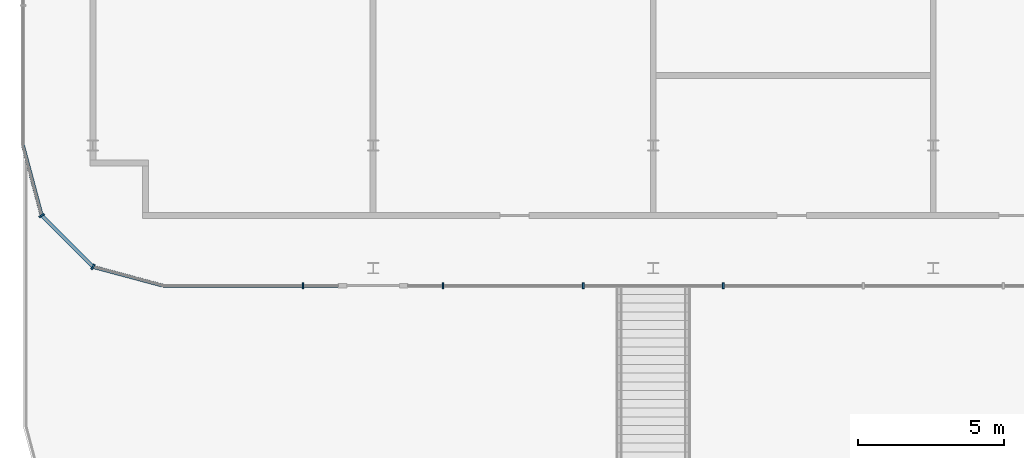
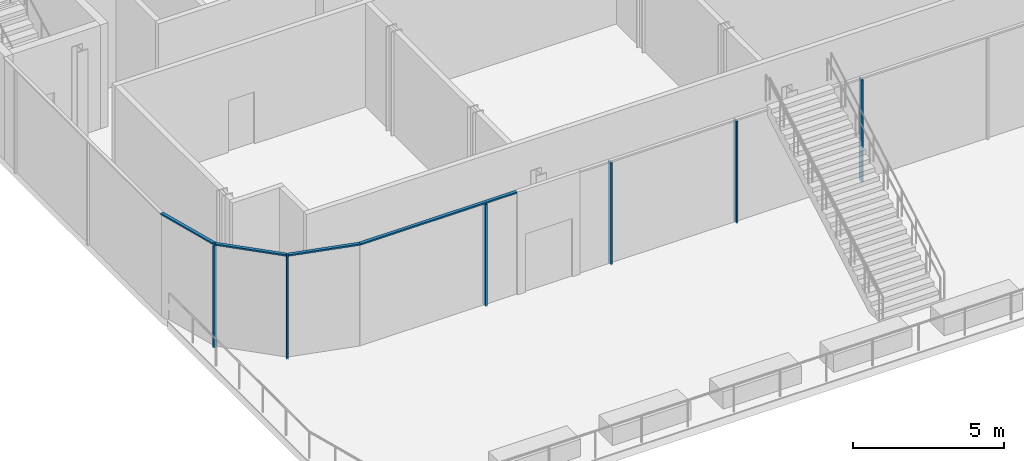
# One storey, part 6 of 38: 10 members, 2 elements without a shape of their own.
"""IFC4 building model written with IfcOpenShell, lengths in metres."""

from ifc_helpers import new_model, si_unit, direction, frame, origin, origin_2d, place, context, subcontext, project, spatial, rectangle, extrude, material, layer, layer_set, material_profile, profile_set, type_object, element, aggregate, save


model = new_model("IFC4")

# Units and contexts
model_context = context("Model", 3, precision=1e-05, world=origin(), true_north=direction((0.0, 1.0)))
body_context = subcontext(model_context, "Body", "Model", "MODEL_VIEW")
ifc_project = project(units=[si_unit("LENGTHUNIT", "METRE"), si_unit("AREAUNIT", "SQUARE_METRE"), si_unit("VOLUMEUNIT", "CUBIC_METRE"), si_unit("PLANEANGLEUNIT", "RADIAN"), si_unit("MASSUNIT", "GRAM", prefix="KILO")], contexts=[model_context])

# Site, building, storey
site_placement = place(None, origin())
site = spatial("IfcSite", under=ifc_project, at=site_placement, CompositionType="ELEMENT")
building_placement = place(site_placement, origin())
building = spatial("IfcBuilding", under=site, at=building_placement, Name="Madar Terraces", CompositionType="ELEMENT")
storey_placement = place(building_placement, frame((0.0, 0.0, 15.0)))
storey = spatial("IfcBuildingStorey", under=building, at=storey_placement, Name="L03", CompositionType="ELEMENT", Elevation=15.0)

# Curtain wall, members
ifc_material_1 = material(Name="Glass, clear low-iron, with black aluminium frame", Category="aluminium")
ifc_layer = layer(ifc_material_1, 0.199951171875)
ifc_layer_set = layer_set([ifc_layer], Name="Facade curtain wall, shopfront glazing")
curtain_wall_type = type_object("IfcCurtainWallType", Name="Facade curtain wall, shopfront glazing", PredefinedType="NOTDEFINED", material=ifc_layer_set)
curtain_wall_1_placement = place(storey_placement, origin())
curtain_wall_1 = element("IfcCurtainWall", 1, at=curtain_wall_1_placement, inside=storey, type_object=curtain_wall_type, Name="Outer skin curtain wall south bay 1", PredefinedType="NOTDEFINED")
ifc_material_2 = material(Name="Aluminium, black anodised", Category="aluminium")
ifc_material_profile_1 = material_profile(ifc_material_2, rectangle(XDim=0.199951171875, YDim=0.06005859375, at=origin_2d()), Name="Facade mullion 60x200")
ifc_profile_set_1 = profile_set([ifc_material_profile_1], Name="Aluminium, black anodised")
member_type_1 = type_object("IfcMemberType", Name="Facade mullion 60x200", PredefinedType="MULLION", material=ifc_profile_set_1)
member_1_placement = place(storey_placement, frame((2.39990234375, -14.39990234375, 0.0), z_axis=(0.0, 0.0, 1.0), x_axis=(0.0, 1.0, 0.0)))
member_1 = element("IfcMember", 2, at=member_1_placement, type_object=member_type_1, Name="Mullion 1", PredefinedType="MULLION", context=body_context, shape_type="SweptSolid", body=[
    extrude(rectangle(XDim=0.199951171875, YDim=0.06005859375, at=origin_2d()), origin(), (0.0, 0.0, 1.0), 4.139892578125),
])
member_2_placement = place(storey_placement, frame((7.199951171875, -14.39990234375, 0.0), z_axis=(0.0, 0.0, 1.0), x_axis=(0.0, 1.0, 0.0)))
member_2 = element("IfcMember", 3, at=member_2_placement, type_object=member_type_1, Name="Mullion 2", PredefinedType="MULLION", context=body_context, shape_type="SweptSolid", body=[
    extrude(rectangle(XDim=0.199951171875, YDim=0.06005859375, at=origin_2d()), origin(), (0.0, 0.0, 1.0), 4.139892578125),
])
member_3_placement = place(storey_placement, frame((12.0, -14.39990234375, 0.0), z_axis=(0.0, 0.0, 1.0), x_axis=(0.0, 1.0, 0.0)))
member_3 = element("IfcMember", 4, at=member_3_placement, type_object=member_type_1, Name="Mullion 3", PredefinedType="MULLION", context=body_context, shape_type="SweptSolid", body=[
    extrude(rectangle(XDim=0.199951171875, YDim=0.06005859375, at=origin_2d()), origin(), (0.0, 0.0, 1.0), 4.139892578125),
])
member_4_placement = place(storey_placement, frame((16.800048828125, -14.39990234375, 0.0), z_axis=(0.0, 0.0, 1.0), x_axis=(0.0, 1.0, 0.0)))
member_4 = element("IfcMember", 5, at=member_4_placement, type_object=member_type_1, Name="Mullion 4", PredefinedType="MULLION", context=body_context, shape_type="SweptSolid", body=[
    extrude(rectangle(XDim=0.199951171875, YDim=0.06005859375, at=origin_2d()), origin(), (0.0, 0.0, 1.0), 4.139892578125),
])

curtain_wall_2_placement = place(storey_placement, origin())
curtain_wall_2 = element("IfcCurtainWall", 6, at=curtain_wall_2_placement, inside=storey, type_object=curtain_wall_type, Name="Outer skin curtain wall south-west corner", PredefinedType="NOTDEFINED")
member_5_placement = place(storey_placement, frame((-6.556884765625, -12.0, 0.0), z_axis=(0.0, 0.0, 1.0), x_axis=(0.866025409797, 0.499999989586, 0.0)))
member_5 = element("IfcMember", 7, at=member_5_placement, type_object=member_type_1, Name="Mullion 1", PredefinedType="MULLION", context=body_context, shape_type="SweptSolid", body=[
    extrude(rectangle(XDim=0.199951171875, YDim=0.06005859375, at=origin_2d()), origin(), (0.0, 0.0, 1.0), 4.139892578125),
])
member_6_placement = place(storey_placement, frame((-4.800048828125, -13.7568359375, 0.0), z_axis=(0.0, 0.0, 1.0), x_axis=(0.499999989586, 0.866025409797, 0.0)))
member_6 = element("IfcMember", 8, at=member_6_placement, type_object=member_type_1, Name="Mullion 2", PredefinedType="MULLION", context=body_context, shape_type="SweptSolid", body=[
    extrude(rectangle(XDim=0.199951171875, YDim=0.06005859375, at=origin_2d()), origin(), (0.0, 0.0, 1.0), 4.139892578125),
])

# Member
ifc_material_3 = material(Name="Aluminium, black anodised", Category="aluminium")
ifc_material_profile_2 = material_profile(ifc_material_3, rectangle(XDim=0.1201171875, YDim=0.06005859375, at=origin_2d()), Name="Facade transom 60x120")
ifc_profile_set_2 = profile_set([ifc_material_profile_2], Name="Aluminium, black anodised")
member_type_2 = type_object("IfcMemberType", Name="Facade transom 60x120", PredefinedType="USERDEFINED", material=ifc_profile_set_2)
member_7_placement = place(storey_placement, frame((-2.39990234375, -14.39990234375, 4.169921875), z_axis=(1.0, 0.0, 0.0), x_axis=(0.0, 1.0, 0.0)))
member_7 = element("IfcMember", 9, at=member_7_placement, type_object=member_type_2, Name="Transom 1", ObjectType="TRANSOM", PredefinedType="USERDEFINED", context=body_context, shape_type="SweptSolid", body=[
    extrude(rectangle(XDim=0.1201171875, YDim=0.06005859375, at=origin_2d()), origin(), (0.0, 0.0, 1.0), 6.0),
])

aggregate(curtain_wall_1, [member_1, member_7, member_2, member_3, member_4])

member_8_placement = place(storey_placement, frame((-7.199951171875, -9.60009765625, 4.169921875), z_axis=(0.258813977271, -0.965927184196, 0.0), x_axis=(0.965927184196, 0.258813977271, 0.0)))
member_8 = element("IfcMember", 10, at=member_8_placement, type_object=member_type_2, Name="Transom 1", ObjectType="TRANSOM", PredefinedType="USERDEFINED", context=body_context, shape_type="SweptSolid", body=[
    extrude(rectangle(XDim=0.1201171875, YDim=0.06005859375, at=origin_2d()), origin(), (0.0, 0.0, 1.0), 2.45458984375),
])

member_9_placement = place(storey_placement, frame((-6.53564453125, -12.021240234375, 4.169921875), z_axis=(0.707106781187, -0.707106781187, 0.0), x_axis=(0.707106781187, 0.707106781187, 0.0)))
member_9 = element("IfcMember", 11, at=member_9_placement, type_object=member_type_2, Name="Transom 2", ObjectType="TRANSOM", PredefinedType="USERDEFINED", context=body_context, shape_type="SweptSolid", body=[
    extrude(rectangle(XDim=0.1201171875, YDim=0.06005859375, at=origin_2d()), origin(), (0.0, 0.0, 1.0), 2.424560546875),
])

member_10_placement = place(storey_placement, frame((-4.77099609375, -13.7646484375, 4.169921875), z_axis=(0.965933846022, -0.258789113195, 0.0), x_axis=(0.258789113195, 0.965933846022, 0.0)))
member_10 = element("IfcMember", 12, at=member_10_placement, type_object=member_type_2, Name="Transom 3", ObjectType="TRANSOM", PredefinedType="USERDEFINED", context=body_context, shape_type="SweptSolid", body=[
    extrude(rectangle(XDim=0.1201171875, YDim=0.06005859375, at=origin_2d()), origin(), (0.0, 0.0, 1.0), 2.454833984375),
])

aggregate(curtain_wall_2, [member_5, member_8, member_6, member_9, member_10])

save(model, "model.ifc")
